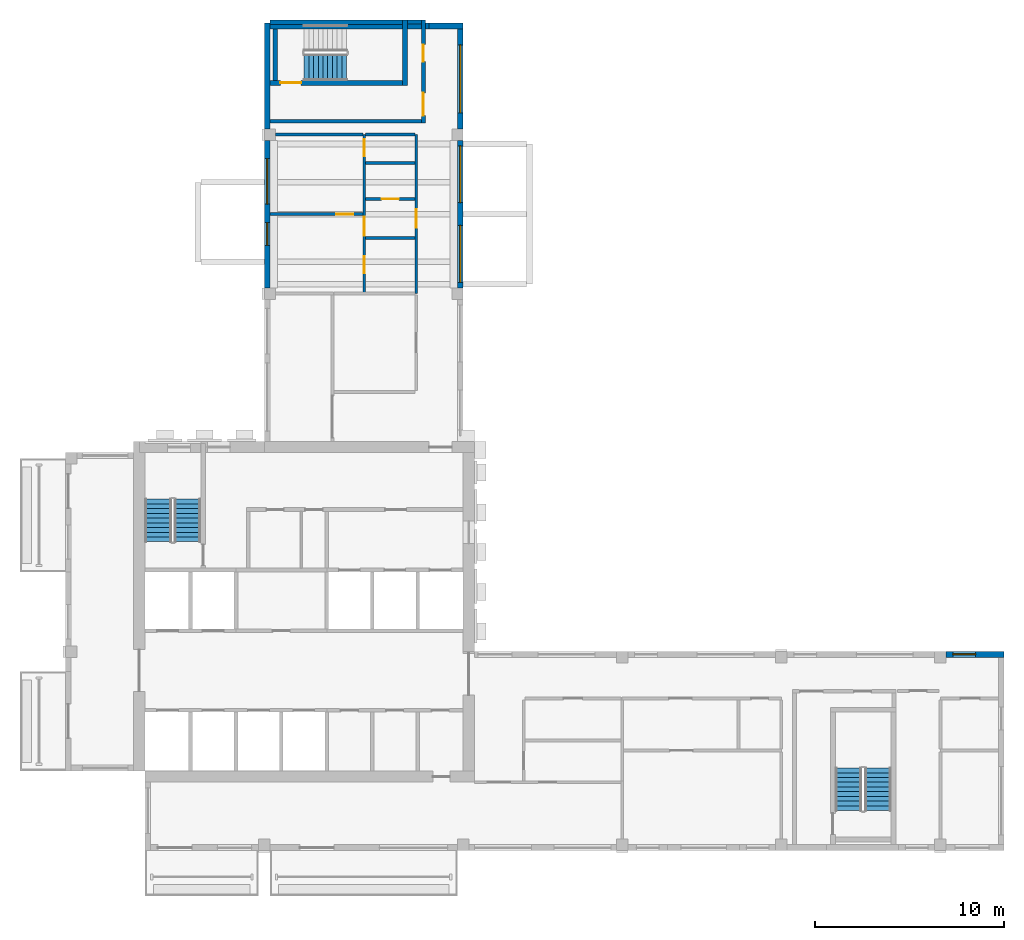
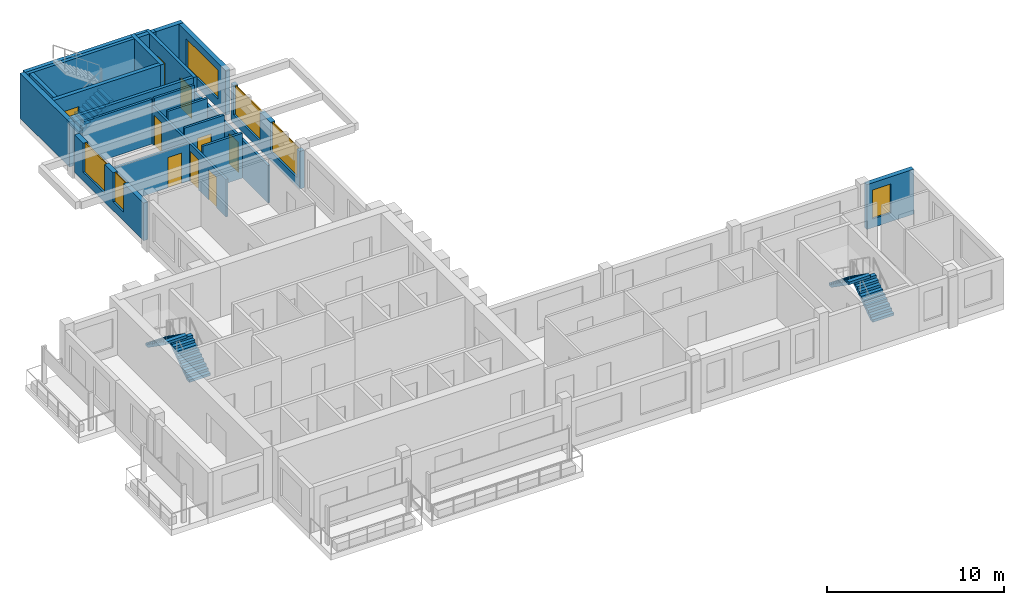
# One storey, part 5 of 10: 22 walls, 9 doors, 6 windows, 5 stair flights, 15 openings, 3 elements without a shape of their own.
"""IFC4 building model written with IfcOpenShell, lengths in metres."""

from ifc_helpers import new_model, si_unit, direction, frame, frame_2d, origin, place, context, subcontext, project, spatial, polyline, rectangle, outline, extrude, source, transform, mapped, material, layer, layer_set, type_object, element, fill, aggregate, save


model = new_model("IFC4")

# Units and contexts
model_context = context("Model", 3, precision=1e-05, world=origin(), true_north=direction((0.0, 1.0)))
body_context = subcontext(model_context, "Body", "Model", "MODEL_VIEW")
ifc_project = project(units=[si_unit("LENGTHUNIT", "METRE"), si_unit("AREAUNIT", "SQUARE_METRE"), si_unit("VOLUMEUNIT", "CUBIC_METRE"), si_unit("PLANEANGLEUNIT", "RADIAN"), si_unit("MASSUNIT", "GRAM", prefix="KILO")], contexts=[model_context])

# Site, building, storey
site_placement = place(None, origin())
site = spatial("IfcSite", under=ifc_project, at=site_placement, CompositionType="ELEMENT")
building_placement = place(site_placement, origin())
building = spatial("IfcBuilding", under=site, at=building_placement, Name="Aurelian Terraces", CompositionType="ELEMENT")
storey_placement = place(building_placement, frame((0.0, 0.0, 326.5)))
storey = spatial("IfcBuildingStorey", under=building, at=storey_placement, Name="L76", CompositionType="ELEMENT", Elevation=326.5)

# Wall, openings, windows
ifc_material_1 = material(Name="Terracotta rainscreen cladding", Category="masonry")
ifc_layer_1 = layer(ifc_material_1, 0.3)
ifc_layer_set_1 = layer_set([ifc_layer_1], Name="EW-300")
wall_type_1 = type_object("IfcWallType", Name="EW-300", PredefinedType="STANDARD", material=ifc_layer_set_1)
wall_1_placement = place(storey_placement, frame((20.85, 29.7, 0.0), z_axis=(0.0, 0.0, 1.0), x_axis=(0.0, 1.0, 0.0)))
wall_1 = element("IfcWall", 1, at=wall_1_placement, inside=storey, type_object=wall_type_1, Name="External wall L76 F04.11", PredefinedType="STANDARD", context=body_context, shape_type="SweptSolid", body=[
    extrude(rectangle(XDim=7.8, YDim=0.3, at=frame_2d((3.9, 0.0))), origin(), (0.0, 0.0, 1.0), 2.6),
])
shared_shape_1 = source(origin(), body_context, "Body", "SweptSolid", [
    extrude(rectangle(XDim=3.0, YDim=2.0, at=frame_2d((1.5, 1.0))), frame((0.0, 0.16, 0.0), z_axis=(0.0, -1.0, 0.0), x_axis=(1.0, 0.0, 0.0)), (0.0, 0.0, 1.0), 0.32),
])
opening_1_placement = place(wall_1_placement, frame((0.3, 0.0, 0.6)))
opening_1 = element("IfcOpeningElement", 2, at=opening_1_placement, cuts=wall_1, Name="Opening W3020", PredefinedType="OPENING", context=body_context, shape_type="MappedRepresentation", body=[
    mapped(shared_shape_1, transform((0.0, 0.0, 0.0), scale=1.0)),
])
opening_2_placement = place(wall_1_placement, frame((4.5, 0.0, 0.6)))
opening_2 = element("IfcOpeningElement", 3, at=opening_2_placement, cuts=wall_1, Name="Opening W3020", PredefinedType="OPENING", context=body_context, shape_type="MappedRepresentation", body=[
    mapped(shared_shape_1, transform((0.0, 0.0, 0.0), scale=1.0)),
])
ifc_material_2 = material(Name="Clear glazing", Category="glass")
window_type_1 = type_object("IfcWindowType", Name="W-3000x2000", PartitioningType="SINGLE_PANEL", PredefinedType="WINDOW", material=ifc_material_2)
shared_shape_2 = source(origin(), body_context, "Body", "SweptSolid", [
    extrude(rectangle(XDim=3.0, YDim=2.0, at=frame_2d((1.5, 1.0))), frame((0.0, 0.03, 0.0), z_axis=(0.0, -1.0, 0.0), x_axis=(1.0, 0.0, 0.0)), (0.0, 0.0, 1.0), 0.06),
])
window_1_placement = place(opening_1_placement, origin())
window_1 = element("IfcWindow", 4, at=window_1_placement, inside=storey, type_object=window_type_1, Name="Window L76 L76-F04-11-0", OverallHeight=2.0, OverallWidth=3.0, PartitioningType="SINGLE_PANEL", PredefinedType="WINDOW", context=body_context, shape_type="MappedRepresentation", body=[
    mapped(shared_shape_2, transform((0.0, 0.0, 0.0), scale=1.0)),
])
fill(opening_1, window_1)
window_2_placement = place(opening_2_placement, origin())
window_2 = element("IfcWindow", 5, at=window_2_placement, inside=storey, type_object=window_type_1, Name="Window L76 L76-F04-11-1", OverallHeight=2.0, OverallWidth=3.0, PartitioningType="SINGLE_PANEL", PredefinedType="WINDOW", context=body_context, shape_type="MappedRepresentation", body=[
    mapped(shared_shape_2, transform((0.0, 0.0, 0.0), scale=1.0)),
])
fill(opening_2, window_2)

# Wall, opening, window
wall_2_placement = place(storey_placement, frame((20.85, 38.1, 0.0), z_axis=(0.0, 0.0, 1.0), x_axis=(0.0, 1.0, 0.0)))
wall_2 = element("IfcWall", 6, at=wall_2_placement, inside=storey, type_object=wall_type_1, Name="External wall L76 F04.12", PredefinedType="STANDARD", context=body_context, shape_type="SweptSolid", body=[
    extrude(rectangle(XDim=5.58, YDim=0.3, at=frame_2d((2.79, 0.0))), origin(), (0.0, 0.0, 1.0), 3.1),
])
shared_shape_3 = source(origin(), body_context, "Body", "SweptSolid", [
    extrude(rectangle(XDim=3.6, YDim=2.0, at=frame_2d((1.8, 1.0))), frame((0.0, 0.16, 0.0), z_axis=(0.0, -1.0, 0.0), x_axis=(1.0, 0.0, 0.0)), (0.0, 0.0, 1.0), 0.32),
])
opening_3_placement = place(wall_2_placement, frame((0.84, 0.0, 0.6)))
opening_3 = element("IfcOpeningElement", 7, at=opening_3_placement, cuts=wall_2, Name="Opening W3620", PredefinedType="OPENING", context=body_context, shape_type="MappedRepresentation", body=[
    mapped(shared_shape_3, transform((0.0, 0.0, 0.0), scale=1.0)),
])
window_type_2 = type_object("IfcWindowType", Name="W-3600x2000", PartitioningType="SINGLE_PANEL", PredefinedType="WINDOW", material=ifc_material_2)
shared_shape_4 = source(origin(), body_context, "Body", "SweptSolid", [
    extrude(rectangle(XDim=3.6, YDim=2.0, at=frame_2d((1.8, 1.0))), frame((0.0, 0.03, 0.0), z_axis=(0.0, -1.0, 0.0), x_axis=(1.0, 0.0, 0.0)), (0.0, 0.0, 1.0), 0.06),
])
window_3_placement = place(opening_3_placement, origin())
window_3 = element("IfcWindow", 8, at=window_3_placement, inside=storey, type_object=window_type_2, Name="Window L76 L76-F04-12-0", OverallHeight=2.0, OverallWidth=3.6, PartitioningType="SINGLE_PANEL", PredefinedType="WINDOW", context=body_context, shape_type="MappedRepresentation", body=[
    mapped(shared_shape_4, transform((0.0, 0.0, 0.0), scale=1.0)),
])
fill(opening_3, window_3)

# Wall, opening, door
ifc_material_3 = material(Name="Gypsum board on steel studs", Category="steel")
ifc_layer_2 = layer(ifc_material_3, 0.15)
ifc_layer_set_2 = layer_set([ifc_layer_2], Name="Partition 150")
wall_type_2 = type_object("IfcWallType", Name="Partition 150", PredefinedType="PARTITIONING", material=ifc_layer_set_2)
wall_3_placement = place(storey_placement, frame((15.7, 33.6, 0.0), z_axis=(0.0, 0.0, 1.0), x_axis=(-1.0, 0.0, 0.0)))
wall_3 = element("IfcWall", 9, at=wall_3_placement, inside=storey, type_object=wall_type_2, Name="Partition", PredefinedType="PARTITIONING", context=body_context, shape_type="SweptSolid", body=[
    extrude(rectangle(XDim=4.9, YDim=0.15, at=frame_2d((2.45, 0.0))), origin(), (0.0, 0.0, 1.0), 2.6),
])
shared_shape_5 = source(origin(), body_context, "Body", "SweptSolid", [
    extrude(rectangle(XDim=0.9, YDim=2.1, at=frame_2d((0.45, 1.05))), frame((0.0, 0.085, 0.0), z_axis=(0.0, -1.0, 0.0), x_axis=(1.0, 0.0, 0.0)), (0.0, 0.0, 1.0), 0.17),
])
opening_4_placement = place(wall_3_placement, frame((0.5, 0.0, 0.0)))
opening_4 = element("IfcOpeningElement", 10, at=opening_4_placement, cuts=wall_3, Name="Opening 776016", PredefinedType="OPENING", context=body_context, shape_type="MappedRepresentation", body=[
    mapped(shared_shape_5, transform((0.0, 0.0, 0.0), scale=1.0)),
])
ifc_material_4 = material(Name="Timber door leaf", Category="wood")
door_type_1 = type_object("IfcDoorType", Name="Room door 900x2100 right", OperationType="SINGLE_SWING_RIGHT", PredefinedType="DOOR", material=ifc_material_4)
shared_shape_6 = source(origin(), body_context, "Body", "SweptSolid", [
    extrude(rectangle(XDim=0.9, YDim=2.1, at=frame_2d((0.45, 1.05))), frame((0.0, 0.025, 0.0), z_axis=(0.0, -1.0, 0.0), x_axis=(1.0, 0.0, 0.0)), (0.0, 0.0, 1.0), 0.05),
])
door_1_placement = place(opening_4_placement, origin())
door_1 = element("IfcDoor", 11, at=door_1_placement, inside=storey, type_object=door_type_1, Name="Door 776016", OperationType="SINGLE_SWING_RIGHT", OverallHeight=2.1, OverallWidth=0.9, PredefinedType="DOOR", context=body_context, shape_type="MappedRepresentation", body=[
    mapped(shared_shape_6, transform((0.0, 0.0, 0.0), scale=1.0)),
])
fill(opening_4, door_1)

# Walls
ifc_material_5 = material(Name="Concrete fc' 40 MPa", Category="concrete")
ifc_layer_3 = layer(ifc_material_5, 0.3)
ifc_layer_set_3 = layer_set([ifc_layer_3], Name="STAIR BAY WALL 300")
wall_type_3 = type_object("IfcWallType", Name="STAIR BAY WALL 300", PredefinedType="SOLIDWALL", material=ifc_layer_set_3)
wall_4_placement = place(storey_placement, frame((10.65, 43.68, 0.0), z_axis=(0.0, 0.0, 1.0), x_axis=(0.0, -1.0, 0.0)))
element("IfcWall", 12, at=wall_4_placement, inside=storey, type_object=wall_type_3, Name="Stair bay wall L76 F06.14", PredefinedType="SOLIDWALL", context=body_context, shape_type="SweptSolid", body=[
    extrude(rectangle(XDim=5.58, YDim=0.3, at=frame_2d((2.79, 0.0))), origin(), (0.0, 0.0, 1.0), 3.1),
])
shared_shape_7 = source(origin(), body_context, "Body", "SweptSolid", [
    extrude(rectangle(XDim=1.8, YDim=0.3, at=frame_2d((0.9, 0.0))), origin(), (0.0, 0.0, 1.0), 3.1),
])
wall_5_placement = place(storey_placement, frame((21.0, 43.53, 0.0), z_axis=(0.0, 0.0, 1.0), x_axis=(-1.0, 0.0, 0.0)))
element("IfcWall", 13, at=wall_5_placement, inside=storey, type_object=wall_type_1, Name="External wall L76 F05.13", PredefinedType="STANDARD", context=body_context, shape_type="MappedRepresentation", body=[
    mapped(shared_shape_7, transform((0.0, 0.0, 0.0), scale=1.0)),
])
shared_shape_8 = source(origin(), body_context, "Body", "SweptSolid", [
    extrude(rectangle(XDim=8.6, YDim=0.3, at=frame_2d((4.3, 0.0))), origin(), (0.0, 0.0, 1.0), 3.1),
])
wall_6_placement = place(storey_placement, frame((19.2, 43.53, 0.0), z_axis=(0.0, 0.0, 1.0), x_axis=(-1.0, 0.0, 0.0)))
element("IfcWall", 14, at=wall_6_placement, inside=storey, type_object=wall_type_3, Name="Stair bay wall L76 F05.13", PredefinedType="SOLIDWALL", context=body_context, shape_type="MappedRepresentation", body=[
    mapped(shared_shape_8, transform((0.0, 0.0, 0.0), scale=1.0)),
])

# Wall, opening, window
shared_shape_9 = source(origin(), body_context, "Body", "SweptSolid", [
    extrude(rectangle(XDim=3.06, YDim=0.3, at=frame_2d((1.53, 0.0))), origin(), (0.0, 0.0, 1.0), 3.1),
])
wall_7_placement = place(storey_placement, frame((49.56, 10.35, 0.0), z_axis=(0.0, 0.0, 1.0), x_axis=(-1.0, 0.0, 0.0)))
wall_7 = element("IfcWall", 15, at=wall_7_placement, inside=storey, type_object=wall_type_1, Name="External wall L76 F03.8", PredefinedType="STANDARD", context=body_context, shape_type="MappedRepresentation", body=[
    mapped(shared_shape_9, transform((0.0, 0.0, 0.0), scale=1.0)),
])
shared_shape_10 = source(origin(), body_context, "Body", "SweptSolid", [
    extrude(rectangle(XDim=1.2, YDim=2.0, at=frame_2d((0.6, 1.0))), frame((0.0, 0.16, 0.0), z_axis=(0.0, -1.0, 0.0), x_axis=(1.0, 0.0, 0.0)), (0.0, 0.0, 1.0), 0.32),
])
opening_5_placement = place(wall_7_placement, frame((1.5, 0.0, 0.6)))
opening_5 = element("IfcOpeningElement", 16, at=opening_5_placement, cuts=wall_7, Name="Opening W1220", PredefinedType="OPENING", context=body_context, shape_type="MappedRepresentation", body=[
    mapped(shared_shape_10, transform((0.0, 0.0, 0.0), scale=1.0)),
])
window_type_3 = type_object("IfcWindowType", Name="W-1200x2000", PartitioningType="SINGLE_PANEL", PredefinedType="WINDOW", material=ifc_material_2)
shared_shape_11 = source(origin(), body_context, "Body", "SweptSolid", [
    extrude(rectangle(XDim=1.2, YDim=2.0, at=frame_2d((0.6, 1.0))), frame((0.0, 0.03, 0.0), z_axis=(0.0, -1.0, 0.0), x_axis=(1.0, 0.0, 0.0)), (0.0, 0.0, 1.0), 0.06),
])
window_4_placement = place(opening_5_placement, origin())
window_4 = element("IfcWindow", 17, at=window_4_placement, inside=storey, type_object=window_type_3, Name="Window L76 L76-F03-08-0", OverallHeight=2.0, OverallWidth=1.2, PartitioningType="SINGLE_PANEL", PredefinedType="WINDOW", context=body_context, shape_type="MappedRepresentation", body=[
    mapped(shared_shape_11, transform((0.0, 0.0, 0.0), scale=1.0)),
])
fill(opening_5, window_4)

# Wall, openings, windows
shared_shape_12 = source(origin(), body_context, "Body", "SweptSolid", [
    extrude(rectangle(XDim=7.8, YDim=0.3, at=frame_2d((3.9, 0.0))), origin(), (0.0, 0.0, 1.0), 2.6),
])
wall_8_placement = place(storey_placement, frame((10.65, 37.5, 0.0), z_axis=(0.0, 0.0, 1.0), x_axis=(0.0, -1.0, 0.0)))
wall_8 = element("IfcWall", 18, at=wall_8_placement, inside=storey, type_object=wall_type_1, Name="External wall L76 F06.14", PredefinedType="STANDARD", context=body_context, shape_type="MappedRepresentation", body=[
    mapped(shared_shape_12, transform((0.0, 0.0, 0.0), scale=1.0)),
])
opening_6_placement = place(wall_8_placement, frame((4.3475, 0.0, 0.6)))
opening_6 = element("IfcOpeningElement", 19, at=opening_6_placement, cuts=wall_8, Name="Opening W1220", PredefinedType="OPENING", context=body_context, shape_type="MappedRepresentation", body=[
    mapped(shared_shape_10, transform((0.0, 0.0, 0.0), scale=1.0)),
])
shared_shape_13 = source(origin(), body_context, "Body", "SweptSolid", [
    extrude(rectangle(XDim=2.4, YDim=2.0, at=frame_2d((1.2, 1.0))), frame((0.0, 0.16, 0.0), z_axis=(0.0, -1.0, 0.0), x_axis=(1.0, 0.0, 0.0)), (0.0, 0.0, 1.0), 0.32),
])
opening_7_placement = place(wall_8_placement, frame((0.9737, 0.0, 0.6)))
opening_7 = element("IfcOpeningElement", 20, at=opening_7_placement, cuts=wall_8, Name="Opening W2420", PredefinedType="OPENING", context=body_context, shape_type="MappedRepresentation", body=[
    mapped(shared_shape_13, transform((0.0, 0.0, 0.0), scale=1.0)),
])
window_5_placement = place(opening_6_placement, origin())
window_5 = element("IfcWindow", 21, at=window_5_placement, inside=storey, type_object=window_type_3, Name="Window L76 L76-F06-14-2", OverallHeight=2.0, OverallWidth=1.2, PartitioningType="SINGLE_PANEL", PredefinedType="WINDOW", context=body_context, shape_type="MappedRepresentation", body=[
    mapped(shared_shape_11, transform((0.0, 0.0, 0.0), scale=1.0)),
])
fill(opening_6, window_5)
window_type_4 = type_object("IfcWindowType", Name="W-2400x2000", PartitioningType="SINGLE_PANEL", PredefinedType="WINDOW", material=ifc_material_2)
shared_shape_14 = source(origin(), body_context, "Body", "SweptSolid", [
    extrude(rectangle(XDim=2.4, YDim=2.0, at=frame_2d((1.2, 1.0))), frame((0.0, 0.03, 0.0), z_axis=(0.0, -1.0, 0.0), x_axis=(1.0, 0.0, 0.0)), (0.0, 0.0, 1.0), 0.06),
])
window_6_placement = place(opening_7_placement, origin())
window_6 = element("IfcWindow", 22, at=window_6_placement, inside=storey, type_object=window_type_4, Name="Window L76 L76-F06-14-G1-62", OverallHeight=2.0, OverallWidth=2.4, PartitioningType="SINGLE_PANEL", PredefinedType="WINDOW", context=body_context, shape_type="MappedRepresentation", body=[
    mapped(shared_shape_14, transform((0.0, 0.0, 0.0), scale=1.0)),
])
fill(opening_7, window_6)

# Wall, opening, door
ifc_layer_4 = layer(ifc_material_5, 0.25)
ifc_layer_set_4 = layer_set([ifc_layer_4], Name="Stair enclosure wall 250")
wall_type_4 = type_object("IfcWallType", Name="Stair enclosure wall 250", PredefinedType="SOLIDWALL", material=ifc_layer_set_4)
shared_shape_15 = source(origin(), body_context, "Body", "SweptSolid", [
    extrude(rectangle(XDim=7.0, YDim=0.25, at=frame_2d((3.5, 0.0))), origin(), (0.0, 0.0, 1.0), 3.1),
])
wall_9_placement = place(storey_placement, frame((10.8, 40.525, 0.0), z_axis=(0.0, 0.0, 1.0), x_axis=(1.0, 0.0, 0.0)))
wall_9 = element("IfcWall", 23, at=wall_9_placement, inside=storey, type_object=wall_type_4, Name="L76 core wall ST-S3U-W", PredefinedType="SOLIDWALL", context=body_context, shape_type="MappedRepresentation", body=[
    mapped(shared_shape_15, transform((0.0, 0.0, 0.0), scale=1.0)),
])
shared_shape_16 = source(origin(), body_context, "Body", "SweptSolid", [
    extrude(rectangle(XDim=1.1, YDim=2.1, at=frame_2d((0.55, 1.05))), frame((0.0, 0.135, 0.0), z_axis=(0.0, -1.0, 0.0), x_axis=(1.0, 0.0, 0.0)), (0.0, 0.0, 1.0), 0.27),
])
opening_8_placement = place(wall_9_placement, frame((0.55, 0.0, 0.0)))
opening_8 = element("IfcOpeningElement", 24, at=opening_8_placement, cuts=wall_9, Name="Opening 67920", PredefinedType="OPENING", context=body_context, shape_type="MappedRepresentation", body=[
    mapped(shared_shape_16, transform((0.0, 0.0, 0.0), scale=1.0)),
])
ifc_material_6 = material(Name="Steel door leaf", Category="steel")
door_type_2 = type_object("IfcDoorType", Name="Core fire door 1100x2100 right", OperationType="SINGLE_SWING_RIGHT", PredefinedType="DOOR", material=ifc_material_6)
shared_shape_17 = source(origin(), body_context, "Body", "SweptSolid", [
    extrude(rectangle(XDim=1.1, YDim=2.1, at=frame_2d((0.55, 1.05))), frame((0.0, 0.025, 0.0), z_axis=(0.0, -1.0, 0.0), x_axis=(1.0, 0.0, 0.0)), (0.0, 0.0, 1.0), 0.05),
])
door_2_placement = place(opening_8_placement, origin())
door_2 = element("IfcDoor", 25, at=door_2_placement, inside=storey, type_object=door_type_2, Name="Stair door 67920", OperationType="SINGLE_SWING_RIGHT", OverallHeight=2.1, OverallWidth=1.1, PredefinedType="DOOR", context=body_context, shape_type="MappedRepresentation", body=[
    mapped(shared_shape_17, transform((0.0, 0.0, 0.0), scale=1.0)),
])
fill(opening_8, door_2)

# Walls
wall_10_placement = place(storey_placement, frame((10.8, 43.725, 0.0), z_axis=(0.0, 0.0, 1.0), x_axis=(1.0, 0.0, 0.0)))
element("IfcWall", 26, at=wall_10_placement, inside=storey, type_object=wall_type_4, Name="L76 core wall ST-S3U-E", PredefinedType="SOLIDWALL", context=body_context, shape_type="MappedRepresentation", body=[
    mapped(shared_shape_15, transform((0.0, 0.0, 0.0), scale=1.0)),
])
shared_shape_18 = source(origin(), body_context, "Body", "SweptSolid", [
    extrude(rectangle(XDim=3.45, YDim=0.25, at=frame_2d((1.725, 0.0))), origin(), (0.0, 0.0, 1.0), 3.1),
])
wall_11_placement = place(storey_placement, frame((17.925, 40.4, 0.0), z_axis=(0.0, 0.0, 1.0), x_axis=(0.0, 1.0, 0.0)))
element("IfcWall", 27, at=wall_11_placement, inside=storey, type_object=wall_type_4, Name="L76 core wall ST-S3U-N", PredefinedType="SOLIDWALL", context=body_context, shape_type="MappedRepresentation", body=[
    mapped(shared_shape_18, transform((0.0, 0.0, 0.0), scale=1.0)),
])
ifc_layer_5 = layer(ifc_material_3, 0.2)
ifc_layer_set_5 = layer_set([ifc_layer_5], Name="Core partition 200")
wall_type_5 = type_object("IfcWallType", Name="Core partition 200", PredefinedType="PARTITIONING", material=ifc_layer_set_5)
shared_shape_19 = source(origin(), body_context, "Body", "SweptSolid", [
    extrude(rectangle(XDim=8.0, YDim=0.2, at=frame_2d((4.0, 0.0))), origin(), (0.0, 0.0, 1.0), 3.1),
])
wall_12_placement = place(storey_placement, frame((10.8, 38.5, 0.0), z_axis=(0.0, 0.0, 1.0), x_axis=(1.0, 0.0, 0.0)))
element("IfcWall", 28, at=wall_12_placement, inside=storey, type_object=wall_type_5, Name="L76 core wall ST-S3U-VW", PredefinedType="PARTITIONING", context=body_context, shape_type="MappedRepresentation", body=[
    mapped(shared_shape_19, transform((0.0, 0.0, 0.0), scale=1.0)),
])

# Wall, openings, doors
shared_shape_20 = source(origin(), body_context, "Body", "SweptSolid", [
    extrude(rectangle(XDim=5.45, YDim=0.2, at=frame_2d((2.725, 0.0))), origin(), (0.0, 0.0, 1.0), 3.1),
])
wall_13_placement = place(storey_placement, frame((18.9, 38.4, 0.0), z_axis=(0.0, 0.0, 1.0), x_axis=(0.0, 1.0, 0.0)))
wall_13 = element("IfcWall", 29, at=wall_13_placement, inside=storey, type_object=wall_type_5, Name="L76 core wall ST-S3U-BN", PredefinedType="PARTITIONING", context=body_context, shape_type="MappedRepresentation", body=[
    mapped(shared_shape_20, transform((0.0, 0.0, 0.0), scale=1.0)),
])
shared_shape_21 = source(origin(), body_context, "Body", "SweptSolid", [
    extrude(rectangle(XDim=1.2, YDim=2.1, at=frame_2d((0.6, 1.05))), frame((0.0, 0.11, 0.0), z_axis=(0.0, -1.0, 0.0), x_axis=(1.0, 0.0, 0.0)), (0.0, 0.0, 1.0), 0.22),
])
opening_9_placement = place(wall_13_placement, frame((0.4, 0.0, 0.0)))
opening_9 = element("IfcOpeningElement", 30, at=opening_9_placement, cuts=wall_13, Name="Opening 67921", PredefinedType="OPENING", context=body_context, shape_type="MappedRepresentation", body=[
    mapped(shared_shape_21, transform((0.0, 0.0, 0.0), scale=1.0)),
])
shared_shape_22 = source(origin(), body_context, "Body", "SweptSolid", [
    extrude(rectangle(XDim=0.9, YDim=2.1, at=frame_2d((0.45, 1.05))), frame((0.0, 0.11, 0.0), z_axis=(0.0, -1.0, 0.0), x_axis=(1.0, 0.0, 0.0)), (0.0, 0.0, 1.0), 0.22),
])
opening_10_placement = place(wall_13_placement, frame((3.25, 0.0, 0.0)))
opening_10 = element("IfcOpeningElement", 31, at=opening_10_placement, cuts=wall_13, Name="Opening 67922", PredefinedType="OPENING", context=body_context, shape_type="MappedRepresentation", body=[
    mapped(shared_shape_22, transform((0.0, 0.0, 0.0), scale=1.0)),
])
door_type_3 = type_object("IfcDoorType", Name="Core riser door 900x2100 right", OperationType="SINGLE_SWING_RIGHT", PredefinedType="DOOR", material=ifc_material_6)
door_3_placement = place(opening_10_placement, origin())
door_3 = element("IfcDoor", 32, at=door_3_placement, inside=storey, type_object=door_type_3, Name="Riser door 67922", OperationType="SINGLE_SWING_RIGHT", OverallHeight=2.1, OverallWidth=0.9, PredefinedType="DOOR", context=body_context, shape_type="MappedRepresentation", body=[
    mapped(shared_shape_6, transform((0.0, 0.0, 0.0), scale=1.0)),
])
fill(opening_10, door_3)
door_type_4 = type_object("IfcDoorType", Name="Core fire door 1200x2100", OperationType="SINGLE_SWING_LEFT", PredefinedType="DOOR", material=ifc_material_6)
shared_shape_23 = source(origin(), body_context, "Body", "SweptSolid", [
    extrude(rectangle(XDim=1.2, YDim=2.1, at=frame_2d((0.6, 1.05))), frame((0.0, 0.025, 0.0), z_axis=(0.0, -1.0, 0.0), x_axis=(1.0, 0.0, 0.0)), (0.0, 0.0, 1.0), 0.05),
])
door_4_placement = place(opening_9_placement, origin())
door_4 = element("IfcDoor", 33, at=door_4_placement, inside=storey, type_object=door_type_4, Name="Vestibule door 67921", OperationType="SINGLE_SWING_LEFT", OverallHeight=2.1, OverallWidth=1.2, PredefinedType="DOOR", context=body_context, shape_type="MappedRepresentation", body=[
    mapped(shared_shape_23, transform((0.0, 0.0, 0.0), scale=1.0)),
])
fill(opening_9, door_4)

# Walls
shared_shape_24 = source(origin(), body_context, "Body", "SweptSolid", [
    extrude(rectangle(XDim=0.75, YDim=0.2, at=frame_2d((0.375, 0.0))), origin(), (0.0, 0.0, 1.0), 3.1),
])
wall_14_placement = place(storey_placement, frame((18.05, 43.75, 0.0), z_axis=(0.0, 0.0, 1.0), x_axis=(1.0, 0.0, 0.0)))
element("IfcWall", 34, at=wall_14_placement, inside=storey, type_object=wall_type_5, Name="L76 core wall ST-S3U-RE", PredefinedType="PARTITIONING", context=body_context, shape_type="MappedRepresentation", body=[
    mapped(shared_shape_24, transform((0.0, 0.0, 0.0), scale=1.0)),
])
shared_shape_25 = source(origin(), body_context, "Body", "SweptSolid", [
    extrude(rectangle(XDim=2.73, YDim=0.25, at=frame_2d((1.365, 0.0))), origin(), (0.0, 0.0, 1.0), 3.1),
])
wall_15_placement = place(storey_placement, frame((11.075, 40.65, 0.0), z_axis=(0.0, 0.0, 1.0), x_axis=(0.0, 1.0, 0.0)))
element("IfcWall", 35, at=wall_15_placement, inside=storey, type_object=wall_type_4, Name="L76 core wall ST-S3U-SS", PredefinedType="SOLIDWALL", context=body_context, shape_type="MappedRepresentation", body=[
    mapped(shared_shape_25, transform((0.0, 0.0, 0.0), scale=1.0)),
])

# Wall, openings, doors
shared_shape_26 = source(origin(), body_context, "Body", "SweptSolid", [
    extrude(rectangle(XDim=8.4, YDim=0.15, at=frame_2d((4.2, 0.0))), origin(), (0.0, 0.0, 1.0), 2.6),
])
wall_16_placement = place(storey_placement, frame((15.775, 29.4, 0.0), z_axis=(0.0, 0.0, 1.0), x_axis=(0.0, 1.0, 0.0)))
wall_16 = element("IfcWall", 36, at=wall_16_placement, inside=storey, type_object=wall_type_2, Name="Partition", PredefinedType="PARTITIONING", context=body_context, shape_type="MappedRepresentation", body=[
    mapped(shared_shape_26, transform((0.0, 0.0, 0.0), scale=1.0)),
])
shared_shape_27 = source(origin(), body_context, "Body", "SweptSolid", [
    extrude(rectangle(XDim=1.0, YDim=2.1, at=frame_2d((0.5, 1.05))), frame((0.0, 0.085, 0.0), z_axis=(0.0, -1.0, 0.0), x_axis=(1.0, 0.0, 0.0)), (0.0, 0.0, 1.0), 0.17),
])
opening_11_placement = place(wall_16_placement, frame((3.068, 0.0, 0.0)))
opening_11 = element("IfcOpeningElement", 37, at=opening_11_placement, cuts=wall_16, Name="Opening 776012", PredefinedType="OPENING", context=body_context, shape_type="MappedRepresentation", body=[
    mapped(shared_shape_27, transform((0.0, 0.0, 0.0), scale=1.0)),
])
opening_12_placement = place(wall_16_placement, frame((1.0675, 0.0, 0.0)))
opening_12 = element("IfcOpeningElement", 38, at=opening_12_placement, cuts=wall_16, Name="Opening 776013", PredefinedType="OPENING", context=body_context, shape_type="MappedRepresentation", body=[
    mapped(shared_shape_5, transform((0.0, 0.0, 0.0), scale=1.0)),
])
opening_13_placement = place(wall_16_placement, frame((7.2515, 0.0, 0.0)))
opening_13 = element("IfcOpeningElement", 39, at=opening_13_placement, cuts=wall_16, Name="Opening 776015", PredefinedType="OPENING", context=body_context, shape_type="MappedRepresentation", body=[
    mapped(shared_shape_5, transform((0.0, 0.0, 0.0), scale=1.0)),
])
door_type_5 = type_object("IfcDoorType", Name="Room door 1000x2100 right", OperationType="SINGLE_SWING_RIGHT", PredefinedType="DOOR", material=ifc_material_4)
shared_shape_28 = source(origin(), body_context, "Body", "SweptSolid", [
    extrude(rectangle(XDim=1.0, YDim=2.1, at=frame_2d((0.5, 1.05))), frame((0.0, 0.025, 0.0), z_axis=(0.0, -1.0, 0.0), x_axis=(1.0, 0.0, 0.0)), (0.0, 0.0, 1.0), 0.05),
])
door_5_placement = place(opening_11_placement, origin())
door_5 = element("IfcDoor", 40, at=door_5_placement, inside=storey, type_object=door_type_5, Name="Door 776012", OperationType="SINGLE_SWING_RIGHT", OverallHeight=2.1, OverallWidth=1.0, PredefinedType="DOOR", context=body_context, shape_type="MappedRepresentation", body=[
    mapped(shared_shape_28, transform((0.0, 0.0, 0.0), scale=1.0)),
])
fill(opening_11, door_5)
door_type_6 = type_object("IfcDoorType", Name="Room door 900x2100 left", OperationType="SINGLE_SWING_LEFT", PredefinedType="DOOR", material=ifc_material_4)
door_6_placement = place(opening_12_placement, origin())
door_6 = element("IfcDoor", 41, at=door_6_placement, inside=storey, type_object=door_type_6, Name="Door 776013", OperationType="SINGLE_SWING_LEFT", OverallHeight=2.1, OverallWidth=0.9, PredefinedType="DOOR", context=body_context, shape_type="MappedRepresentation", body=[
    mapped(shared_shape_6, transform((0.0, 0.0, 0.0), scale=1.0)),
])
fill(opening_12, door_6)
door_7_placement = place(opening_13_placement, origin())
door_7 = element("IfcDoor", 42, at=door_7_placement, inside=storey, type_object=door_type_6, Name="Door 776015", OperationType="SINGLE_SWING_LEFT", OverallHeight=2.1, OverallWidth=0.9, PredefinedType="DOOR", context=body_context, shape_type="MappedRepresentation", body=[
    mapped(shared_shape_6, transform((0.0, 0.0, 0.0), scale=1.0)),
])
fill(opening_13, door_7)

# Wall, opening, door
ifc_layer_6 = layer(ifc_material_3, 0.15)
ifc_layer_set_6 = layer_set([ifc_layer_6], Name="Fire partition 150")
wall_type_6 = type_object("IfcWallType", Name="Fire partition 150", PredefinedType="PARTITIONING", material=ifc_layer_set_6)
wall_17_placement = place(storey_placement, frame((18.525, 29.4, 0.0), z_axis=(0.0, 0.0, 1.0), x_axis=(0.0, 1.0, 0.0)))
wall_17 = element("IfcWall", 43, at=wall_17_placement, inside=storey, type_object=wall_type_6, Name="Corridor wall", PredefinedType="PARTITIONING", context=body_context, shape_type="MappedRepresentation", body=[
    mapped(shared_shape_26, transform((0.0, 0.0, 0.0), scale=1.0)),
])
opening_14_placement = place(wall_17_placement, frame((3.4667, 0.0, 0.0)))
opening_14 = element("IfcOpeningElement", 44, at=opening_14_placement, cuts=wall_17, Name="Opening 776011", PredefinedType="OPENING", context=body_context, shape_type="MappedRepresentation", body=[
    mapped(shared_shape_27, transform((0.0, 0.0, 0.0), scale=1.0)),
])
door_type_7 = type_object("IfcDoorType", Name="Entrance fire door 1000x2100 left", OperationType="SINGLE_SWING_LEFT", PredefinedType="DOOR", material=ifc_material_6)
door_8_placement = place(opening_14_placement, origin())
door_8 = element("IfcDoor", 45, at=door_8_placement, inside=storey, type_object=door_type_7, Name="Door 776011", OperationType="SINGLE_SWING_LEFT", OverallHeight=2.1, OverallWidth=1.0, PredefinedType="DOOR", context=body_context, shape_type="MappedRepresentation", body=[
    mapped(shared_shape_28, transform((0.0, 0.0, 0.0), scale=1.0)),
])
fill(opening_14, door_8)

# Wall
shared_shape_29 = source(origin(), body_context, "Body", "SweptSolid", [
    extrude(rectangle(XDim=2.6, YDim=0.15, at=frame_2d((1.3, 0.0))), origin(), (0.0, 0.0, 1.0), 3.1),
])
wall_18_placement = place(storey_placement, frame((18.45, 32.335, 0.0), z_axis=(0.0, 0.0, 1.0), x_axis=(-1.0, 0.0, 0.0)))
element("IfcWall", 46, at=wall_18_placement, inside=storey, type_object=wall_type_2, Name="Partition", PredefinedType="PARTITIONING", context=body_context, shape_type="MappedRepresentation", body=[
    mapped(shared_shape_29, transform((0.0, 0.0, 0.0), scale=1.0)),
])

# Wall, opening, door
wall_19_placement = place(storey_placement, frame((18.45, 34.3983, 0.0), z_axis=(0.0, 0.0, 1.0), x_axis=(-1.0, 0.0, 0.0)))
wall_19 = element("IfcWall", 47, at=wall_19_placement, inside=storey, type_object=wall_type_2, Name="Partition", PredefinedType="PARTITIONING", context=body_context, shape_type="MappedRepresentation", body=[
    mapped(shared_shape_29, transform((0.0, 0.0, 0.0), scale=1.0)),
])
opening_15_placement = place(wall_19_placement, frame((0.85, 0.0, 0.0)))
opening_15 = element("IfcOpeningElement", 48, at=opening_15_placement, cuts=wall_19, Name="Opening 776014", PredefinedType="OPENING", context=body_context, shape_type="MappedRepresentation", body=[
    mapped(shared_shape_5, transform((0.0, 0.0, 0.0), scale=1.0)),
])
door_9_placement = place(opening_15_placement, origin())
door_9 = element("IfcDoor", 49, at=door_9_placement, inside=storey, type_object=door_type_1, Name="Door 776014", OperationType="SINGLE_SWING_RIGHT", OverallHeight=2.1, OverallWidth=0.9, PredefinedType="DOOR", context=body_context, shape_type="MappedRepresentation", body=[
    mapped(shared_shape_6, transform((0.0, 0.0, 0.0), scale=1.0)),
])
fill(opening_15, door_9)

# Walls
wall_20_placement = place(storey_placement, frame((18.45, 36.3029, 0.0), z_axis=(0.0, 0.0, 1.0), x_axis=(-1.0, 0.0, 0.0)))
element("IfcWall", 50, at=wall_20_placement, inside=storey, type_object=wall_type_2, Name="Partition", PredefinedType="PARTITIONING", context=body_context, shape_type="MappedRepresentation", body=[
    mapped(shared_shape_29, transform((0.0, 0.0, 0.0), scale=1.0)),
])
wall_21_placement = place(storey_placement, frame((18.45, 37.8, 0.0), z_axis=(0.0, 0.0, 1.0), x_axis=(-1.0, 0.0, 0.0)))
element("IfcWall", 51, at=wall_21_placement, inside=storey, type_object=wall_type_6, Name="Party wall", PredefinedType="PARTITIONING", context=body_context, shape_type="MappedRepresentation", body=[
    mapped(shared_shape_29, transform((0.0, 0.0, 0.0), scale=1.0)),
])
shared_shape_30 = source(origin(), body_context, "Body", "SweptSolid", [
    extrude(rectangle(XDim=4.601, YDim=0.15, at=frame_2d((2.3005, 0.0))), origin(), (0.0, 0.0, 1.0), 3.1),
])
wall_22_placement = place(storey_placement, frame((15.7, 37.8, 0.0), z_axis=(0.0, 0.0, 1.0), x_axis=(-1.0, 0.0, 0.0)))
element("IfcWall", 52, at=wall_22_placement, inside=storey, type_object=wall_type_6, Name="Party wall", PredefinedType="PARTITIONING", context=body_context, shape_type="MappedRepresentation", body=[
    mapped(shared_shape_30, transform((0.0, 0.0, 0.0), scale=1.0)),
])

# Stair, stair flights
stair_type = type_object("IfcStairType", Name="Stair 1400", PredefinedType="HALF_TURN_STAIR", material=ifc_material_5)
stair_1_placement = place(storey_placement, origin())
stair_1 = element("IfcStair", 53, at=stair_1_placement, inside=storey, type_object=stair_type, Name="L76 S1", PredefinedType="HALF_TURN_STAIR")
stair_flight_type = type_object("IfcStairFlightType", Name="Stair flight 1400", PredefinedType="STRAIGHT", material=ifc_material_5)
shared_shape_31 = source(origin(), body_context, "Body", "SweptSolid", [
    extrude(outline(polyline([(0.0, 0.0), (0.0, 0.175), (0.25, 0.175), (0.25, 0.35), (0.5, 0.35), (0.5, 0.525), (0.75, 0.525), (0.75, 0.7), (1.0, 0.7), (1.0, 0.875), (1.25, 0.875), (1.25, 1.05), (1.5, 1.05), (1.5, 1.225), (1.75, 1.225), (1.75, 1.4), (2.0, 1.4), (2.0, 1.575), (2.25, 1.575), (2.25, 1.75), (2.25, 1.3919), (0.2616, 0.0), (0.0, 0.0)])), frame((0.0, 0.7, 0.0), z_axis=(0.0, -1.0, 0.0), x_axis=(1.0, 0.0, 0.0)), (0.0, 0.0, 1.0), 1.4),
])
stair_flight_1_placement = place(storey_placement, frame((6.45, 16.3, 2e-08), z_axis=(0.0, 0.0, 1.0), x_axis=(0.0, 1.0, 0.0)))
stair_flight_1 = element("IfcStairFlight", 54, at=stair_flight_1_placement, type_object=stair_flight_type, Name="S1 flight 1", NumberOfRisers=10, NumberOfTreads=9, PredefinedType="STRAIGHT", RiserHeight=0.175, TreadLength=0.25, context=body_context, shape_type="MappedRepresentation", body=[
    mapped(shared_shape_31, transform((0.0, 0.0, 0.0), scale=1.0)),
])
stair_flight_2_placement = place(storey_placement, frame((4.9, 18.55, 1.75000002), z_axis=(0.0, 0.0, 1.0), x_axis=(0.0, -1.0, 0.0)))
stair_flight_2 = element("IfcStairFlight", 55, at=stair_flight_2_placement, type_object=stair_flight_type, Name="S1 flight 2", NumberOfRisers=10, NumberOfTreads=9, PredefinedType="STRAIGHT", RiserHeight=0.175, TreadLength=0.25, context=body_context, shape_type="MappedRepresentation", body=[
    mapped(shared_shape_31, transform((0.0, 0.0, 0.0), scale=1.0)),
])
aggregate(stair_1, [stair_flight_1, stair_flight_2])

stair_2_placement = place(storey_placement, origin())
stair_2 = element("IfcStair", 56, at=stair_2_placement, inside=storey, type_object=stair_type, Name="L76 S2", PredefinedType="HALF_TURN_STAIR")
stair_flight_3_placement = place(storey_placement, frame((42.9, 2.1, 2e-08), z_axis=(0.0, 0.0, 1.0), x_axis=(0.0, 1.0, 0.0)))
stair_flight_3 = element("IfcStairFlight", 57, at=stair_flight_3_placement, type_object=stair_flight_type, Name="S2 flight 1", NumberOfRisers=10, NumberOfTreads=9, PredefinedType="STRAIGHT", RiserHeight=0.175, TreadLength=0.25, context=body_context, shape_type="MappedRepresentation", body=[
    mapped(shared_shape_31, transform((0.0, 0.0, 0.0), scale=1.0)),
])
stair_flight_4_placement = place(storey_placement, frame((41.35, 4.35, 1.75000002), z_axis=(0.0, 0.0, 1.0), x_axis=(0.0, -1.0, 0.0)))
stair_flight_4 = element("IfcStairFlight", 58, at=stair_flight_4_placement, type_object=stair_flight_type, Name="S2 flight 2", NumberOfRisers=10, NumberOfTreads=9, PredefinedType="STRAIGHT", RiserHeight=0.175, TreadLength=0.25, context=body_context, shape_type="MappedRepresentation", body=[
    mapped(shared_shape_31, transform((0.0, 0.0, 0.0), scale=1.0)),
])
aggregate(stair_2, [stair_flight_3, stair_flight_4])

# Stair, stair flight
stair_3_placement = place(storey_placement, origin())
stair_3 = element("IfcStair", 59, at=stair_3_placement, inside=storey, type_object=stair_type, Name="L76 S3U", PredefinedType="HALF_TURN_STAIR")
stair_flight_5_placement = place(storey_placement, frame((12.6, 41.35, 2e-08), z_axis=(0.0, 0.0, 1.0), x_axis=(1.0, 0.0, 0.0)))
stair_flight_5 = element("IfcStairFlight", 60, at=stair_flight_5_placement, type_object=stair_flight_type, Name="S3U flight 1", NumberOfRisers=10, NumberOfTreads=9, PredefinedType="STRAIGHT", RiserHeight=0.175, TreadLength=0.25, context=body_context, shape_type="MappedRepresentation", body=[
    mapped(shared_shape_31, transform((0.0, 0.0, 0.0), scale=1.0)),
])
aggregate(stair_3, [stair_flight_5])

save(model, "model.ifc")
